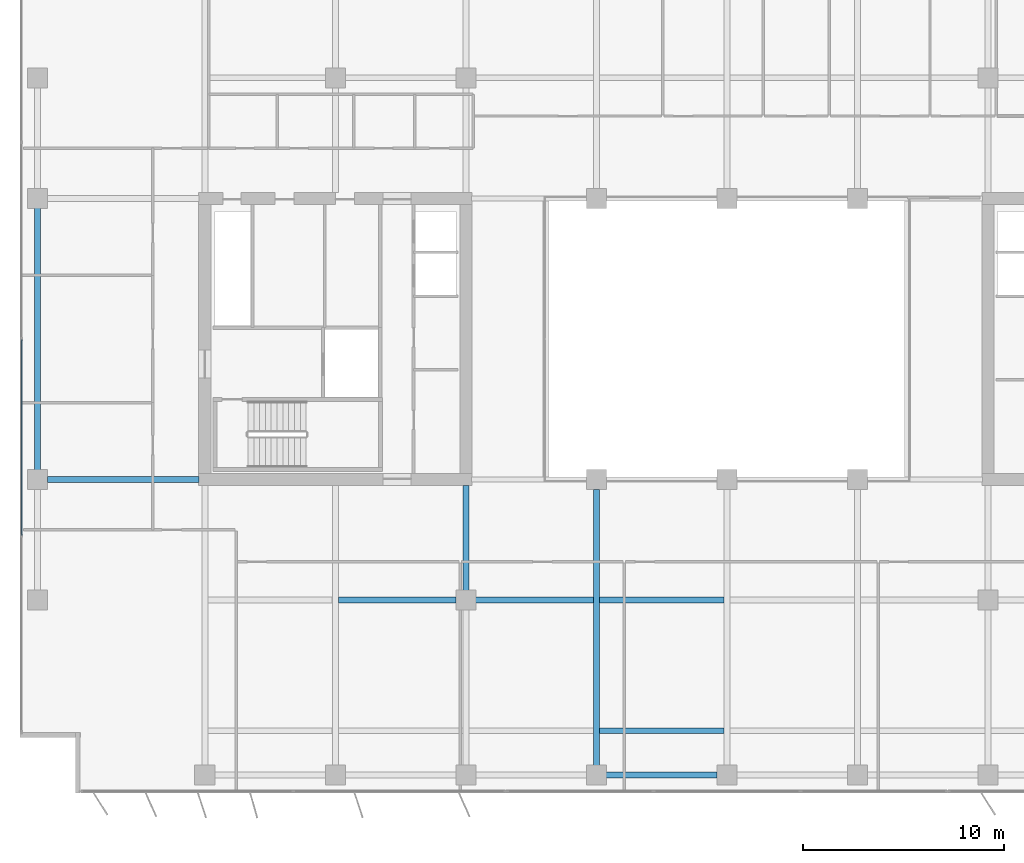
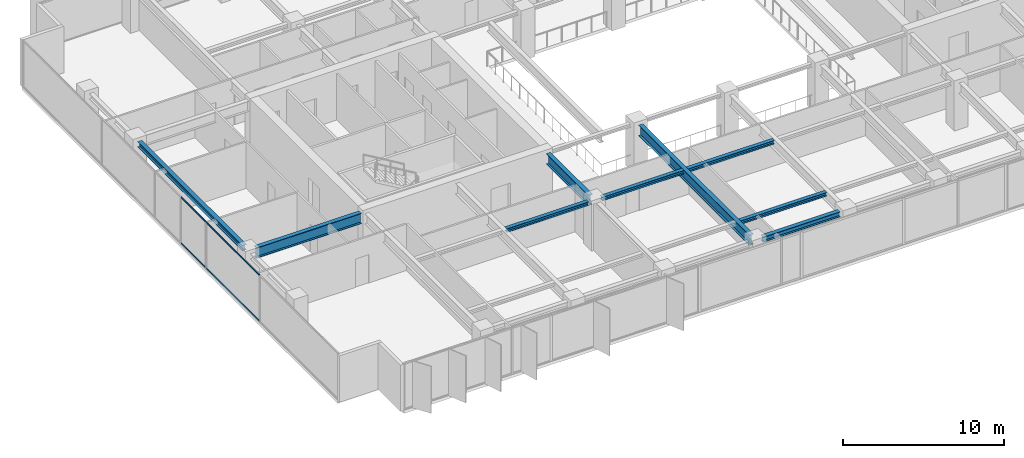
# One storey, part 3 of 22: 9 beams, 2 members, 1 element without a shape of its own.
"""IFC4 building model written with IfcOpenShell, lengths in metres."""

from ifc_helpers import new_model, si_unit, direction, frame, origin, origin_2d, place, context, subcontext, project, spatial, rectangle, i_section, extrude, material, layer, layer_set, material_profile, profile_set, type_object, element, aggregate, save


model = new_model("IFC4")

# Units and contexts
model_context = context("Model", 3, precision=1e-05, world=origin(), true_north=direction((0.0, 1.0)))
body_context = subcontext(model_context, "Body", "Model", "MODEL_VIEW")
ifc_project = project(units=[si_unit("LENGTHUNIT", "METRE"), si_unit("AREAUNIT", "SQUARE_METRE"), si_unit("VOLUMEUNIT", "CUBIC_METRE"), si_unit("PLANEANGLEUNIT", "RADIAN"), si_unit("MASSUNIT", "GRAM", prefix="KILO")], contexts=[model_context])

# Site, building, storey
site_placement = place(None, origin())
site = spatial("IfcSite", under=ifc_project, at=site_placement, CompositionType="ELEMENT")
building_placement = place(site_placement, origin())
building = spatial("IfcBuilding", under=site, at=building_placement, Name="Putna Gate Headquarters", CompositionType="ELEMENT")
storey_placement = place(building_placement, frame((0.0, 0.0, 193.60009765625)))
storey = spatial("IfcBuildingStorey", under=building, at=storey_placement, Name="L48", CompositionType="ELEMENT", Elevation=193.60009765625)

# Beams
ifc_material_1 = material(Name="Steel S355J2", Category="steel")
ifc_material_profile_1 = material_profile(ifc_material_1, i_section(OverallWidth=0.300048828125, OverallDepth=0.800048828125, WebThickness=0.017578125, FlangeThickness=0.032958984375, at=origin_2d()), Name="Steel S355J2")
ifc_profile_set_1 = profile_set([ifc_material_profile_1], Name="Steel S355J2")
beam_type_1 = type_object("IfcBeamType", Name="BM-GIRD-P-HEB800", PredefinedType="USERDEFINED", material=ifc_profile_set_1)
beam_1_placement = place(storey_placement, frame((5.16796875, 19.0, 3.119873046875), z_axis=(1.0, 0.0, 0.0), x_axis=(0.0, 1.0, 0.0)))
element("IfcBeam", 1, at=beam_1_placement, inside=storey, type_object=beam_type_1, Name="L48 West Wing Girder Y19", ObjectType="GIRDER", PredefinedType="USERDEFINED", context=body_context, shape_type="SweptSolid", body=[
    extrude(i_section(OverallWidth=0.300048828125, OverallDepth=0.800048828125, WebThickness=0.017578125, FlangeThickness=0.032958984375, at=origin_2d()), origin(), (0.0, 0.0, 1.0), 7.547119140625),
])
beam_2_placement = place(storey_placement, frame((26.0, 13.488037109375, 3.119873046875), z_axis=(0.0, 1.0, 0.0), x_axis=(-1.0, 0.0, 0.0)))
element("IfcBeam", 2, at=beam_2_placement, inside=storey, type_object=beam_type_1, Name="L48 South Primary Girder X26-2", ObjectType="GIRDER", PredefinedType="USERDEFINED", context=body_context, shape_type="SweptSolid", body=[
    extrude(i_section(OverallWidth=0.300048828125, OverallDepth=0.800048828125, WebThickness=0.017578125, FlangeThickness=0.032958984375, at=origin_2d()), origin(), (0.0, 0.0, 1.0), 5.22705078125),
])
beam_3_placement = place(storey_placement, frame((32.5, 4.76806640625, 3.119873046875), z_axis=(0.0, 1.0, 0.0), x_axis=(-1.0, 0.0, 0.0)))
element("IfcBeam", 3, at=beam_3_placement, inside=storey, type_object=beam_type_1, Name="L48 South Primary Girder X32", ObjectType="GIRDER", PredefinedType="USERDEFINED", context=body_context, shape_type="SweptSolid", body=[
    extrude(i_section(OverallWidth=0.300048828125, OverallDepth=0.800048828125, WebThickness=0.017578125, FlangeThickness=0.032958984375, at=origin_2d()), origin(), (0.0, 0.0, 1.0), 13.743896484375),
])
ifc_material_profile_2 = material_profile(ifc_material_1, i_section(OverallWidth=0.300048828125, OverallDepth=0.39990234375, WebThickness=0.013427734375, FlangeThickness=0.02392578125, at=origin_2d()), Name="Steel S355J2")
ifc_profile_set_2 = profile_set([ifc_material_profile_2], Name="Steel S355J2")
beam_type_2 = type_object("IfcBeamType", Name="BM-SPAN-Z3-HEB400", PredefinedType="SPANDREL", material=ifc_profile_set_2)
beam_4_placement = place(storey_placement, frame((32.988037109375, 4.280029296875, 3.31982421875), z_axis=(1.0, 0.0, 0.0), x_axis=(0.0, 1.0, 0.0)))
element("IfcBeam", 4, at=beam_4_placement, inside=storey, type_object=beam_type_2, Name="L48 S Perimeter Spandrel 4", PredefinedType="SPANDREL", context=body_context, shape_type="SweptSolid", body=[
    extrude(i_section(OverallWidth=0.300048828125, OverallDepth=0.39990234375, WebThickness=0.013427734375, FlangeThickness=0.02392578125, at=origin_2d()), origin(), (0.0, 0.0, 1.0), 5.52392578125),
])
beam_5_placement = place(storey_placement, frame((4.679931640625, 19.488037109375, 3.31982421875), z_axis=(0.0, 1.0, 0.0), x_axis=(-1.0, 0.0, 0.0)))
element("IfcBeam", 5, at=beam_5_placement, inside=storey, type_object=beam_type_2, Name="L48 W End Spandrel 2", PredefinedType="SPANDREL", context=body_context, shape_type="SweptSolid", body=[
    extrude(i_section(OverallWidth=0.300048828125, OverallDepth=0.39990234375, WebThickness=0.013427734375, FlangeThickness=0.02392578125, at=origin_2d()), origin(), (0.0, 0.0, 1.0), 13.02392578125),
])
ifc_material_profile_3 = material_profile(ifc_material_1, i_section(OverallWidth=0.280029296875, OverallDepth=0.280029296875, WebThickness=0.010498046875, FlangeThickness=0.01806640625, at=origin_2d()), Name="Steel S355J2")
ifc_profile_set_3 = profile_set([ifc_material_profile_3], Name="Steel S355J2")
beam_type_3 = type_object("IfcBeamType", Name="BM-SPAN-Z5-HEB280", PredefinedType="SPANDREL", material=ifc_profile_set_3)
for number, where, z_axis, x_axis, name in (
    (6, (19.654052734375, 13.0, 3.3798828125), (1.0, 0.0, 0.0), (0.0, 1.0, 0.0), "L48 South Secondary Beam 2"),
    (7, (26.488037109375, 13.0, 3.3798828125), (1.0, 0.0, 0.0), (0.0, 1.0, 0.0), "L48 South Secondary Beam 3"),
):
    element("IfcBeam", number, at=place(storey_placement, frame(where, z_axis=z_axis, x_axis=x_axis)), inside=storey, type_object=beam_type_3, Name=name, PredefinedType="SPANDREL", context=body_context, shape_type="SweptSolid", body=[
        extrude(i_section(OverallWidth=0.280029296875, OverallDepth=0.280029296875, WebThickness=0.010498046875, FlangeThickness=0.01806640625, at=origin_2d()), origin(), (0.0, 0.0, 1.0), 5.85791015625),
    ])
for number, where, z_axis, x_axis, name in (
    (8, (32.654052734375, 6.5, 3.3798828125), (1.0, 0.0, 0.0), (0.0, 1.0, 0.0), "L48 South Secondary Beam 4"),
    (9, (32.654052734375, 13.0, 3.3798828125), (1.0, 0.0, 0.0), (0.0, 1.0, 0.0), "L48 South Secondary Beam 4"),
):
    element("IfcBeam", number, at=place(storey_placement, frame(where, z_axis=z_axis, x_axis=x_axis)), inside=storey, type_object=beam_type_3, Name=name, PredefinedType="SPANDREL", context=body_context, shape_type="SweptSolid", body=[
        extrude(i_section(OverallWidth=0.280029296875, OverallDepth=0.280029296875, WebThickness=0.010498046875, FlangeThickness=0.01806640625, at=origin_2d()), origin(), (0.0, 0.0, 1.0), 6.19189453125),
    ])

# Curtain wall, members
ifc_material_2 = material(Name="Anodised bronze aluminium curtain wall", Category="aluminium")
ifc_layer = layer(ifc_material_2, 0.159912109375)
ifc_layer_set = layer_set([ifc_layer], Name="Anodised bronze aluminium curtain wall")
curtain_wall_type = type_object("IfcCurtainWallType", Name="CW-SYS-Z3", PredefinedType="USERDEFINED", material=ifc_layer_set)
curtain_wall_placement = place(storey_placement, origin())
curtain_wall = element("IfcCurtainWall", 10, at=curtain_wall_placement, inside=storey, type_object=curtain_wall_type, Name="L48 West Curtain Wall", ObjectType="STICK CURTAIN WALL", PredefinedType="USERDEFINED")
ifc_material_3 = material(Name="Anodised bronze aluminium EN AW-6060", Category="aluminium")
ifc_material_profile_4 = material_profile(ifc_material_3, rectangle(XDim=0.06005859375, YDim=0.10009765625, at=origin_2d()), Name="Anodised bronze aluminium EN AW-6060")
ifc_profile_set_4 = profile_set([ifc_material_profile_4], Name="Anodised bronze aluminium EN AW-6060")
member_type = type_object("IfcMemberType", Name="TRAN-CWT-3", PredefinedType="USERDEFINED", material=ifc_profile_set_4)
member_1_placement = place(storey_placement, frame((3.8798828125, 16.232421875, 0.02978515625), z_axis=(0.0, 1.0, 0.0), x_axis=(-1.0, 0.0, 0.0)))
member_1 = element("IfcMember", 11, at=member_1_placement, type_object=member_type, Name="CWS-3 transom 2.1", ObjectType="TRANSOM", PredefinedType="USERDEFINED", context=body_context, shape_type="SweptSolid", body=[
    extrude(rectangle(XDim=0.06005859375, YDim=0.10009765625, at=origin_2d()), origin(), (0.0, 0.0, 1.0), 9.735107421875),
])
member_2_placement = place(storey_placement, frame((3.8798828125, 16.232421875, 3.489990234375), z_axis=(0.0, 1.0, 0.0), x_axis=(-1.0, 0.0, 0.0)))
member_2 = element("IfcMember", 12, at=member_2_placement, type_object=member_type, Name="CWS-3 transom 2.2", ObjectType="TRANSOM", PredefinedType="USERDEFINED", context=body_context, shape_type="SweptSolid", body=[
    extrude(rectangle(XDim=0.06005859375, YDim=0.10009765625, at=origin_2d()), origin(), (0.0, 0.0, 1.0), 9.735107421875),
])
aggregate(curtain_wall, [member_1, member_2])

save(model, "model.ifc")
